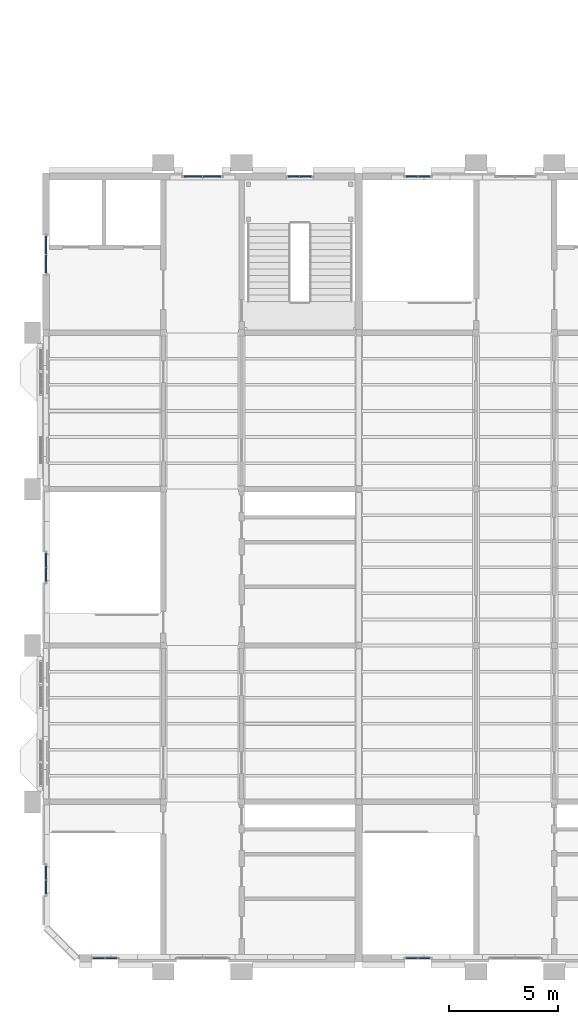
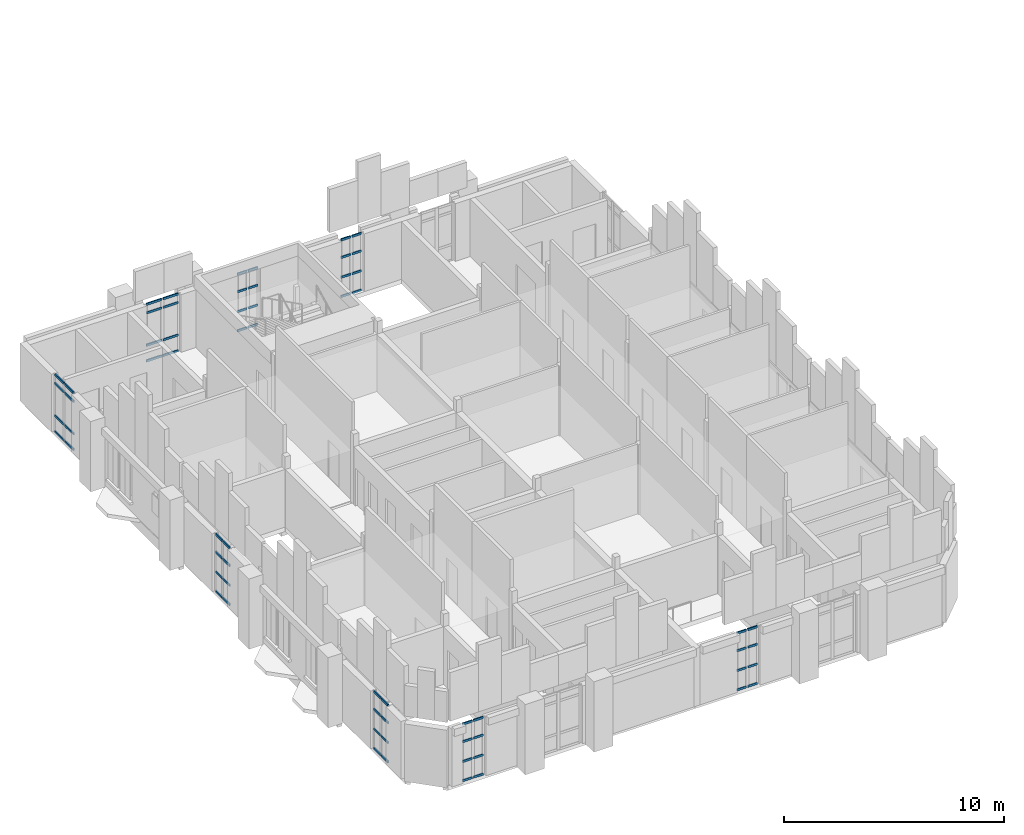
# One storey, part 17 of 51: 64 members, 8 elements without a shape of their own.
"""IFC4 building model written with IfcOpenShell, lengths in metres."""

from ifc_helpers import new_model, si_unit, direction, frame, origin, origin_2d, place, context, subcontext, project, spatial, rectangle, extrude, material, layer, layer_set, material_profile, profile_set, type_object, element, aggregate, save


model = new_model("IFC4")

# Units and contexts
model_context = context("Model", 3, precision=1e-05, world=origin(), true_north=direction((0.0, 1.0)))
body_context = subcontext(model_context, "Body", "Model", "MODEL_VIEW")
ifc_project = project(units=[si_unit("LENGTHUNIT", "METRE"), si_unit("AREAUNIT", "SQUARE_METRE"), si_unit("VOLUMEUNIT", "CUBIC_METRE"), si_unit("PLANEANGLEUNIT", "RADIAN"), si_unit("MASSUNIT", "GRAM", prefix="KILO")], contexts=[model_context])

# Site, building, storey
site_placement = place(None, origin())
site = spatial("IfcSite", under=ifc_project, at=site_placement, CompositionType="ELEMENT")
building_placement = place(site_placement, origin())
building = spatial("IfcBuilding", under=site, at=building_placement, Name="Mazhai Court Health Centre", CompositionType="ELEMENT")
storey_placement = place(building_placement, frame((0.0, 0.0, 14.10009765625)))
storey = spatial("IfcBuildingStorey", under=building, at=storey_placement, Name="L03", CompositionType="ELEMENT", Elevation=14.10009765625)

# Curtain wall, members
ifc_material_1 = material(Name="Teak timber frame, glazed", Category="wood")
ifc_layer_1 = layer(ifc_material_1, 0.10009765625)
ifc_layer_set_1 = layer_set([ifc_layer_1], Name="CURTAIN WALL TIMBER 600")
curtain_wall_type_1 = type_object("IfcCurtainWallType", Name="CURTAIN WALL TIMBER 600", PredefinedType="NOTDEFINED", material=ifc_layer_set_1)
curtain_wall_1_placement = place(storey_placement, origin())
curtain_wall_1 = element("IfcCurtainWall", 1, at=curtain_wall_1_placement, inside=storey, type_object=curtain_wall_type_1, Name="CW-V2-L03-A0", PredefinedType="NOTDEFINED")
ifc_material_2 = material(Name="Teak timber", Category="wood")
ifc_material_profile = material_profile(ifc_material_2, rectangle(XDim=0.06005859375, YDim=0.1201171875, at=origin_2d()), Name="CW TRANSOM 60x120")
ifc_profile_set = profile_set([ifc_material_profile], Name="Teak timber")
member_type = type_object("IfcMemberType", Name="CW TRANSOM 60x120", PredefinedType="USERDEFINED", material=ifc_profile_set)
member_1_placement = place(storey_placement, frame((6.199951171875, 9.159912109375, 0.02978515625), z_axis=(0.0, 1.0, 0.0), x_axis=(-1.0, 0.0, 0.0)))
member_1 = element("IfcMember", 2, at=member_1_placement, type_object=member_type, Name="CW transom 1.1", ObjectType="TRANSOM", PredefinedType="USERDEFINED", context=body_context, shape_type="SweptSolid", body=[
    extrude(rectangle(XDim=0.06005859375, YDim=0.1201171875, at=origin_2d()), origin(), (0.0, 0.0, 1.0), 0.610107421875),
])
member_2_placement = place(storey_placement, frame((6.199951171875, 9.159912109375, 1.099853515625), z_axis=(0.0, 1.0, 0.0), x_axis=(-1.0, 0.0, 0.0)))
member_2 = element("IfcMember", 3, at=member_2_placement, type_object=member_type, Name="CW transom 1.2", ObjectType="TRANSOM", PredefinedType="USERDEFINED", context=body_context, shape_type="SweptSolid", body=[
    extrude(rectangle(XDim=0.06005859375, YDim=0.1201171875, at=origin_2d()), origin(), (0.0, 0.0, 1.0), 0.610107421875),
])
member_3_placement = place(storey_placement, frame((6.199951171875, 9.159912109375, 2.199951171875), z_axis=(0.0, 1.0, 0.0), x_axis=(-1.0, 0.0, 0.0)))
member_3 = element("IfcMember", 4, at=member_3_placement, type_object=member_type, Name="CW transom 1.3", ObjectType="TRANSOM", PredefinedType="USERDEFINED", context=body_context, shape_type="SweptSolid", body=[
    extrude(rectangle(XDim=0.06005859375, YDim=0.1201171875, at=origin_2d()), origin(), (0.0, 0.0, 1.0), 0.610107421875),
])
member_4_placement = place(storey_placement, frame((6.199951171875, 9.159912109375, 3.169921875), z_axis=(0.0, 1.0, 0.0), x_axis=(-1.0, 0.0, 0.0)))
member_4 = element("IfcMember", 5, at=member_4_placement, type_object=member_type, Name="CW transom 1.4", ObjectType="TRANSOM", PredefinedType="USERDEFINED", context=body_context, shape_type="SweptSolid", body=[
    extrude(rectangle(XDim=0.06005859375, YDim=0.1201171875, at=origin_2d()), origin(), (0.0, 0.0, 1.0), 0.610107421875),
])
member_5_placement = place(storey_placement, frame((6.199951171875, 9.830078125, 0.02978515625), z_axis=(0.0, 1.0, 0.0), x_axis=(-1.0, 0.0, 0.0)))
member_5 = element("IfcMember", 6, at=member_5_placement, type_object=member_type, Name="CW transom 2.1", ObjectType="TRANSOM", PredefinedType="USERDEFINED", context=body_context, shape_type="SweptSolid", body=[
    extrude(rectangle(XDim=0.06005859375, YDim=0.1201171875, at=origin_2d()), origin(), (0.0, 0.0, 1.0), 0.60986328125),
])
member_6_placement = place(storey_placement, frame((6.199951171875, 9.830078125, 1.099853515625), z_axis=(0.0, 1.0, 0.0), x_axis=(-1.0, 0.0, 0.0)))
member_6 = element("IfcMember", 7, at=member_6_placement, type_object=member_type, Name="CW transom 2.2", ObjectType="TRANSOM", PredefinedType="USERDEFINED", context=body_context, shape_type="SweptSolid", body=[
    extrude(rectangle(XDim=0.06005859375, YDim=0.1201171875, at=origin_2d()), origin(), (0.0, 0.0, 1.0), 0.60986328125),
])
member_7_placement = place(storey_placement, frame((6.199951171875, 9.830078125, 2.199951171875), z_axis=(0.0, 1.0, 0.0), x_axis=(-1.0, 0.0, 0.0)))
member_7 = element("IfcMember", 8, at=member_7_placement, type_object=member_type, Name="CW transom 2.3", ObjectType="TRANSOM", PredefinedType="USERDEFINED", context=body_context, shape_type="SweptSolid", body=[
    extrude(rectangle(XDim=0.06005859375, YDim=0.1201171875, at=origin_2d()), origin(), (0.0, 0.0, 1.0), 0.60986328125),
])
member_8_placement = place(storey_placement, frame((6.199951171875, 9.830078125, 3.169921875), z_axis=(0.0, 1.0, 0.0), x_axis=(-1.0, 0.0, 0.0)))
member_8 = element("IfcMember", 9, at=member_8_placement, type_object=member_type, Name="CW transom 2.4", ObjectType="TRANSOM", PredefinedType="USERDEFINED", context=body_context, shape_type="SweptSolid", body=[
    extrude(rectangle(XDim=0.06005859375, YDim=0.1201171875, at=origin_2d()), origin(), (0.0, 0.0, 1.0), 0.60986328125),
])
aggregate(curtain_wall_1, [member_1, member_2, member_3, member_4, member_5, member_6, member_7, member_8])

curtain_wall_2_placement = place(storey_placement, origin())
curtain_wall_2 = element("IfcCurtainWall", 10, at=curtain_wall_2_placement, inside=storey, type_object=curtain_wall_type_1, Name="CW-V2-L03-A2", PredefinedType="NOTDEFINED")
member_9_placement = place(storey_placement, frame((6.199951171875, 23.56005859375, 0.02978515625), z_axis=(0.0, 1.0, 0.0), x_axis=(-1.0, 0.0, 0.0)))
member_9 = element("IfcMember", 11, at=member_9_placement, type_object=member_type, Name="CW transom 1.1", ObjectType="TRANSOM", PredefinedType="USERDEFINED", context=body_context, shape_type="SweptSolid", body=[
    extrude(rectangle(XDim=0.06005859375, YDim=0.1201171875, at=origin_2d()), origin(), (0.0, 0.0, 1.0), 0.60986328125),
])
member_10_placement = place(storey_placement, frame((6.199951171875, 23.56005859375, 1.099853515625), z_axis=(0.0, 1.0, 0.0), x_axis=(-1.0, 0.0, 0.0)))
member_10 = element("IfcMember", 12, at=member_10_placement, type_object=member_type, Name="CW transom 1.2", ObjectType="TRANSOM", PredefinedType="USERDEFINED", context=body_context, shape_type="SweptSolid", body=[
    extrude(rectangle(XDim=0.06005859375, YDim=0.1201171875, at=origin_2d()), origin(), (0.0, 0.0, 1.0), 0.60986328125),
])
member_11_placement = place(storey_placement, frame((6.199951171875, 23.56005859375, 2.199951171875), z_axis=(0.0, 1.0, 0.0), x_axis=(-1.0, 0.0, 0.0)))
member_11 = element("IfcMember", 13, at=member_11_placement, type_object=member_type, Name="CW transom 1.3", ObjectType="TRANSOM", PredefinedType="USERDEFINED", context=body_context, shape_type="SweptSolid", body=[
    extrude(rectangle(XDim=0.06005859375, YDim=0.1201171875, at=origin_2d()), origin(), (0.0, 0.0, 1.0), 0.60986328125),
])
member_12_placement = place(storey_placement, frame((6.199951171875, 23.56005859375, 3.169921875), z_axis=(0.0, 1.0, 0.0), x_axis=(-1.0, 0.0, 0.0)))
member_12 = element("IfcMember", 14, at=member_12_placement, type_object=member_type, Name="CW transom 1.4", ObjectType="TRANSOM", PredefinedType="USERDEFINED", context=body_context, shape_type="SweptSolid", body=[
    extrude(rectangle(XDim=0.06005859375, YDim=0.1201171875, at=origin_2d()), origin(), (0.0, 0.0, 1.0), 0.60986328125),
])
member_13_placement = place(storey_placement, frame((6.199951171875, 24.22998046875, 0.02978515625), z_axis=(0.0, 1.0, 0.0), x_axis=(-1.0, 0.0, 0.0)))
member_13 = element("IfcMember", 15, at=member_13_placement, type_object=member_type, Name="CW transom 2.1", ObjectType="TRANSOM", PredefinedType="USERDEFINED", context=body_context, shape_type="SweptSolid", body=[
    extrude(rectangle(XDim=0.06005859375, YDim=0.1201171875, at=origin_2d()), origin(), (0.0, 0.0, 1.0), 0.610107421875),
])
member_14_placement = place(storey_placement, frame((6.199951171875, 24.22998046875, 1.099853515625), z_axis=(0.0, 1.0, 0.0), x_axis=(-1.0, 0.0, 0.0)))
member_14 = element("IfcMember", 16, at=member_14_placement, type_object=member_type, Name="CW transom 2.2", ObjectType="TRANSOM", PredefinedType="USERDEFINED", context=body_context, shape_type="SweptSolid", body=[
    extrude(rectangle(XDim=0.06005859375, YDim=0.1201171875, at=origin_2d()), origin(), (0.0, 0.0, 1.0), 0.610107421875),
])
member_15_placement = place(storey_placement, frame((6.199951171875, 24.22998046875, 2.199951171875), z_axis=(0.0, 1.0, 0.0), x_axis=(-1.0, 0.0, 0.0)))
member_15 = element("IfcMember", 17, at=member_15_placement, type_object=member_type, Name="CW transom 2.3", ObjectType="TRANSOM", PredefinedType="USERDEFINED", context=body_context, shape_type="SweptSolid", body=[
    extrude(rectangle(XDim=0.06005859375, YDim=0.1201171875, at=origin_2d()), origin(), (0.0, 0.0, 1.0), 0.610107421875),
])
member_16_placement = place(storey_placement, frame((6.199951171875, 24.22998046875, 3.169921875), z_axis=(0.0, 1.0, 0.0), x_axis=(-1.0, 0.0, 0.0)))
member_16 = element("IfcMember", 18, at=member_16_placement, type_object=member_type, Name="CW transom 2.4", ObjectType="TRANSOM", PredefinedType="USERDEFINED", context=body_context, shape_type="SweptSolid", body=[
    extrude(rectangle(XDim=0.06005859375, YDim=0.1201171875, at=origin_2d()), origin(), (0.0, 0.0, 1.0), 0.610107421875),
])
aggregate(curtain_wall_2, [member_9, member_10, member_11, member_12, member_13, member_14, member_15, member_16])

ifc_material_3 = material(Name="Teak timber frame, glazed", Category="wood")
ifc_layer_2 = layer(ifc_material_3, 0.10009765625)
ifc_layer_set_2 = layer_set([ifc_layer_2], Name="CURTAIN WALL TIMBER 900")
curtain_wall_type_2 = type_object("IfcCurtainWallType", Name="CURTAIN WALL TIMBER 900", PredefinedType="NOTDEFINED", material=ifc_layer_set_2)
curtain_wall_3_placement = place(storey_placement, origin())
curtain_wall_3 = element("IfcCurtainWall", 19, at=curtain_wall_3_placement, inside=storey, type_object=curtain_wall_type_2, Name="CW-V2-L03-A4", PredefinedType="NOTDEFINED")
member_17_placement = place(storey_placement, frame((6.199951171875, 37.760009765625, 0.02978515625), z_axis=(0.0, 1.0, 0.0), x_axis=(-1.0, 0.0, 0.0)))
member_17 = element("IfcMember", 20, at=member_17_placement, type_object=member_type, Name="CW transom 1.1", ObjectType="TRANSOM", PredefinedType="USERDEFINED", context=body_context, shape_type="SweptSolid", body=[
    extrude(rectangle(XDim=0.06005859375, YDim=0.1201171875, at=origin_2d()), origin(), (0.0, 0.0, 1.0), 0.81005859375),
])
member_18_placement = place(storey_placement, frame((6.199951171875, 37.760009765625, 0.89990234375), z_axis=(0.0, 1.0, 0.0), x_axis=(-1.0, 0.0, 0.0)))
member_18 = element("IfcMember", 21, at=member_18_placement, type_object=member_type, Name="CW transom 1.2", ObjectType="TRANSOM", PredefinedType="USERDEFINED", context=body_context, shape_type="SweptSolid", body=[
    extrude(rectangle(XDim=0.06005859375, YDim=0.1201171875, at=origin_2d()), origin(), (0.0, 0.0, 1.0), 0.81005859375),
])
member_19_placement = place(storey_placement, frame((6.199951171875, 37.760009765625, 2.699951171875), z_axis=(0.0, 1.0, 0.0), x_axis=(-1.0, 0.0, 0.0)))
member_19 = element("IfcMember", 22, at=member_19_placement, type_object=member_type, Name="CW transom 1.3", ObjectType="TRANSOM", PredefinedType="USERDEFINED", context=body_context, shape_type="SweptSolid", body=[
    extrude(rectangle(XDim=0.06005859375, YDim=0.1201171875, at=origin_2d()), origin(), (0.0, 0.0, 1.0), 0.81005859375),
])
member_20_placement = place(storey_placement, frame((6.199951171875, 37.760009765625, 3.169921875), z_axis=(0.0, 1.0, 0.0), x_axis=(-1.0, 0.0, 0.0)))
member_20 = element("IfcMember", 23, at=member_20_placement, type_object=member_type, Name="CW transom 1.4", ObjectType="TRANSOM", PredefinedType="USERDEFINED", context=body_context, shape_type="SweptSolid", body=[
    extrude(rectangle(XDim=0.06005859375, YDim=0.1201171875, at=origin_2d()), origin(), (0.0, 0.0, 1.0), 0.81005859375),
])
member_21_placement = place(storey_placement, frame((6.199951171875, 38.6298828125, 0.02978515625), z_axis=(0.0, 1.0, 0.0), x_axis=(-1.0, 0.0, 0.0)))
member_21 = element("IfcMember", 24, at=member_21_placement, type_object=member_type, Name="CW transom 2.1", ObjectType="TRANSOM", PredefinedType="USERDEFINED", context=body_context, shape_type="SweptSolid", body=[
    extrude(rectangle(XDim=0.06005859375, YDim=0.1201171875, at=origin_2d()), origin(), (0.0, 0.0, 1.0), 0.81005859375),
])
member_22_placement = place(storey_placement, frame((6.199951171875, 38.6298828125, 0.89990234375), z_axis=(0.0, 1.0, 0.0), x_axis=(-1.0, 0.0, 0.0)))
member_22 = element("IfcMember", 25, at=member_22_placement, type_object=member_type, Name="CW transom 2.2", ObjectType="TRANSOM", PredefinedType="USERDEFINED", context=body_context, shape_type="SweptSolid", body=[
    extrude(rectangle(XDim=0.06005859375, YDim=0.1201171875, at=origin_2d()), origin(), (0.0, 0.0, 1.0), 0.81005859375),
])
member_23_placement = place(storey_placement, frame((6.199951171875, 38.6298828125, 2.699951171875), z_axis=(0.0, 1.0, 0.0), x_axis=(-1.0, 0.0, 0.0)))
member_23 = element("IfcMember", 26, at=member_23_placement, type_object=member_type, Name="CW transom 2.3", ObjectType="TRANSOM", PredefinedType="USERDEFINED", context=body_context, shape_type="SweptSolid", body=[
    extrude(rectangle(XDim=0.06005859375, YDim=0.1201171875, at=origin_2d()), origin(), (0.0, 0.0, 1.0), 0.81005859375),
])
member_24_placement = place(storey_placement, frame((6.199951171875, 38.6298828125, 3.169921875), z_axis=(0.0, 1.0, 0.0), x_axis=(-1.0, 0.0, 0.0)))
member_24 = element("IfcMember", 27, at=member_24_placement, type_object=member_type, Name="CW transom 2.4", ObjectType="TRANSOM", PredefinedType="USERDEFINED", context=body_context, shape_type="SweptSolid", body=[
    extrude(rectangle(XDim=0.06005859375, YDim=0.1201171875, at=origin_2d()), origin(), (0.0, 0.0, 1.0), 0.81005859375),
])
aggregate(curtain_wall_3, [member_17, member_18, member_19, member_20, member_21, member_22, member_23, member_24])

curtain_wall_4_placement = place(storey_placement, origin())
curtain_wall_4 = element("IfcCurtainWall", 28, at=curtain_wall_4_placement, inside=storey, type_object=curtain_wall_type_1, Name="CW-V2-L03-SSTAIR0", PredefinedType="NOTDEFINED")
member_25_placement = place(storey_placement, frame((9.4599609375, 6.199951171875, 0.02978515625), z_axis=(-1.0, 0.0, 0.0), x_axis=(0.0, -1.0, 0.0)))
member_25 = element("IfcMember", 29, at=member_25_placement, type_object=member_type, Name="CW transom 1.1", ObjectType="TRANSOM", PredefinedType="USERDEFINED", context=body_context, shape_type="SweptSolid", body=[
    extrude(rectangle(XDim=0.06005859375, YDim=0.1201171875, at=origin_2d()), origin(), (0.0, 0.0, 1.0), 0.510009765625),
])
member_26_placement = place(storey_placement, frame((9.4599609375, 6.199951171875, 1.099853515625), z_axis=(-1.0, 0.0, 0.0), x_axis=(0.0, -1.0, 0.0)))
member_26 = element("IfcMember", 30, at=member_26_placement, type_object=member_type, Name="CW transom 1.2", ObjectType="TRANSOM", PredefinedType="USERDEFINED", context=body_context, shape_type="SweptSolid", body=[
    extrude(rectangle(XDim=0.06005859375, YDim=0.1201171875, at=origin_2d()), origin(), (0.0, 0.0, 1.0), 0.510009765625),
])
member_27_placement = place(storey_placement, frame((9.4599609375, 6.199951171875, 2.199951171875), z_axis=(-1.0, 0.0, 0.0), x_axis=(0.0, -1.0, 0.0)))
member_27 = element("IfcMember", 31, at=member_27_placement, type_object=member_type, Name="CW transom 1.3", ObjectType="TRANSOM", PredefinedType="USERDEFINED", context=body_context, shape_type="SweptSolid", body=[
    extrude(rectangle(XDim=0.06005859375, YDim=0.1201171875, at=origin_2d()), origin(), (0.0, 0.0, 1.0), 0.510009765625),
])
member_28_placement = place(storey_placement, frame((9.4599609375, 6.199951171875, 3.169921875), z_axis=(-1.0, 0.0, 0.0), x_axis=(0.0, -1.0, 0.0)))
member_28 = element("IfcMember", 32, at=member_28_placement, type_object=member_type, Name="CW transom 1.4", ObjectType="TRANSOM", PredefinedType="USERDEFINED", context=body_context, shape_type="SweptSolid", body=[
    extrude(rectangle(XDim=0.06005859375, YDim=0.1201171875, at=origin_2d()), origin(), (0.0, 0.0, 1.0), 0.510009765625),
])
member_29_placement = place(storey_placement, frame((8.889892578125, 6.199951171875, 0.02978515625), z_axis=(-1.0, 0.0, 0.0), x_axis=(0.0, -1.0, 0.0)))
member_29 = element("IfcMember", 33, at=member_29_placement, type_object=member_type, Name="CW transom 2.1", ObjectType="TRANSOM", PredefinedType="USERDEFINED", context=body_context, shape_type="SweptSolid", body=[
    extrude(rectangle(XDim=0.06005859375, YDim=0.1201171875, at=origin_2d()), origin(), (0.0, 0.0, 1.0), 0.510009765625),
])
member_30_placement = place(storey_placement, frame((8.889892578125, 6.199951171875, 1.099853515625), z_axis=(-1.0, 0.0, 0.0), x_axis=(0.0, -1.0, 0.0)))
member_30 = element("IfcMember", 34, at=member_30_placement, type_object=member_type, Name="CW transom 2.2", ObjectType="TRANSOM", PredefinedType="USERDEFINED", context=body_context, shape_type="SweptSolid", body=[
    extrude(rectangle(XDim=0.06005859375, YDim=0.1201171875, at=origin_2d()), origin(), (0.0, 0.0, 1.0), 0.510009765625),
])
member_31_placement = place(storey_placement, frame((8.889892578125, 6.199951171875, 2.199951171875), z_axis=(-1.0, 0.0, 0.0), x_axis=(0.0, -1.0, 0.0)))
member_31 = element("IfcMember", 35, at=member_31_placement, type_object=member_type, Name="CW transom 2.3", ObjectType="TRANSOM", PredefinedType="USERDEFINED", context=body_context, shape_type="SweptSolid", body=[
    extrude(rectangle(XDim=0.06005859375, YDim=0.1201171875, at=origin_2d()), origin(), (0.0, 0.0, 1.0), 0.510009765625),
])
member_32_placement = place(storey_placement, frame((8.889892578125, 6.199951171875, 3.169921875), z_axis=(-1.0, 0.0, 0.0), x_axis=(0.0, -1.0, 0.0)))
member_32 = element("IfcMember", 36, at=member_32_placement, type_object=member_type, Name="CW transom 2.4", ObjectType="TRANSOM", PredefinedType="USERDEFINED", context=body_context, shape_type="SweptSolid", body=[
    extrude(rectangle(XDim=0.06005859375, YDim=0.1201171875, at=origin_2d()), origin(), (0.0, 0.0, 1.0), 0.510009765625),
])
aggregate(curtain_wall_4, [member_25, member_26, member_27, member_28, member_29, member_30, member_31, member_32])

curtain_wall_5_placement = place(storey_placement, origin())
curtain_wall_5 = element("IfcCurtainWall", 37, at=curtain_wall_5_placement, inside=storey, type_object=curtain_wall_type_2, Name="CW-V2-L03-ELIFT0", PredefinedType="NOTDEFINED")
member_33_placement = place(storey_placement, frame((12.56005859375, 42.199951171875, 0.02978515625), z_axis=(1.0, 0.0, 0.0), x_axis=(0.0, 1.0, 0.0)))
member_33 = element("IfcMember", 38, at=member_33_placement, type_object=member_type, Name="CW transom 1.1", ObjectType="TRANSOM", PredefinedType="USERDEFINED", context=body_context, shape_type="SweptSolid", body=[
    extrude(rectangle(XDim=0.06005859375, YDim=0.1201171875, at=origin_2d()), origin(), (0.0, 0.0, 1.0), 0.81005859375),
])
member_34_placement = place(storey_placement, frame((12.56005859375, 42.199951171875, 0.89990234375), z_axis=(1.0, 0.0, 0.0), x_axis=(0.0, 1.0, 0.0)))
member_34 = element("IfcMember", 39, at=member_34_placement, type_object=member_type, Name="CW transom 1.2", ObjectType="TRANSOM", PredefinedType="USERDEFINED", context=body_context, shape_type="SweptSolid", body=[
    extrude(rectangle(XDim=0.06005859375, YDim=0.1201171875, at=origin_2d()), origin(), (0.0, 0.0, 1.0), 0.81005859375),
])
member_35_placement = place(storey_placement, frame((12.56005859375, 42.199951171875, 2.699951171875), z_axis=(1.0, 0.0, 0.0), x_axis=(0.0, 1.0, 0.0)))
member_35 = element("IfcMember", 40, at=member_35_placement, type_object=member_type, Name="CW transom 1.3", ObjectType="TRANSOM", PredefinedType="USERDEFINED", context=body_context, shape_type="SweptSolid", body=[
    extrude(rectangle(XDim=0.06005859375, YDim=0.1201171875, at=origin_2d()), origin(), (0.0, 0.0, 1.0), 0.81005859375),
])
member_36_placement = place(storey_placement, frame((12.56005859375, 42.199951171875, 3.169921875), z_axis=(1.0, 0.0, 0.0), x_axis=(0.0, 1.0, 0.0)))
member_36 = element("IfcMember", 41, at=member_36_placement, type_object=member_type, Name="CW transom 1.4", ObjectType="TRANSOM", PredefinedType="USERDEFINED", context=body_context, shape_type="SweptSolid", body=[
    extrude(rectangle(XDim=0.06005859375, YDim=0.1201171875, at=origin_2d()), origin(), (0.0, 0.0, 1.0), 0.81005859375),
])
member_37_placement = place(storey_placement, frame((13.429931640625, 42.199951171875, 0.02978515625), z_axis=(1.0, 0.0, 0.0), x_axis=(0.0, 1.0, 0.0)))
member_37 = element("IfcMember", 42, at=member_37_placement, type_object=member_type, Name="CW transom 2.1", ObjectType="TRANSOM", PredefinedType="USERDEFINED", context=body_context, shape_type="SweptSolid", body=[
    extrude(rectangle(XDim=0.06005859375, YDim=0.1201171875, at=origin_2d()), origin(), (0.0, 0.0, 1.0), 0.81005859375),
])
member_38_placement = place(storey_placement, frame((13.429931640625, 42.199951171875, 0.89990234375), z_axis=(1.0, 0.0, 0.0), x_axis=(0.0, 1.0, 0.0)))
member_38 = element("IfcMember", 43, at=member_38_placement, type_object=member_type, Name="CW transom 2.2", ObjectType="TRANSOM", PredefinedType="USERDEFINED", context=body_context, shape_type="SweptSolid", body=[
    extrude(rectangle(XDim=0.06005859375, YDim=0.1201171875, at=origin_2d()), origin(), (0.0, 0.0, 1.0), 0.81005859375),
])
member_39_placement = place(storey_placement, frame((13.429931640625, 42.199951171875, 2.699951171875), z_axis=(1.0, 0.0, 0.0), x_axis=(0.0, 1.0, 0.0)))
member_39 = element("IfcMember", 44, at=member_39_placement, type_object=member_type, Name="CW transom 2.3", ObjectType="TRANSOM", PredefinedType="USERDEFINED", context=body_context, shape_type="SweptSolid", body=[
    extrude(rectangle(XDim=0.06005859375, YDim=0.1201171875, at=origin_2d()), origin(), (0.0, 0.0, 1.0), 0.81005859375),
])
member_40_placement = place(storey_placement, frame((13.429931640625, 42.199951171875, 3.169921875), z_axis=(1.0, 0.0, 0.0), x_axis=(0.0, 1.0, 0.0)))
member_40 = element("IfcMember", 45, at=member_40_placement, type_object=member_type, Name="CW transom 2.4", ObjectType="TRANSOM", PredefinedType="USERDEFINED", context=body_context, shape_type="SweptSolid", body=[
    extrude(rectangle(XDim=0.06005859375, YDim=0.1201171875, at=origin_2d()), origin(), (0.0, 0.0, 1.0), 0.81005859375),
])
aggregate(curtain_wall_5, [member_33, member_34, member_35, member_36, member_37, member_38, member_39, member_40])

curtain_wall_6_placement = place(storey_placement, origin())
curtain_wall_6 = element("IfcCurtainWall", 46, at=curtain_wall_6_placement, inside=storey, type_object=curtain_wall_type_1, Name="CW-V2-L03-ESTAIR1", PredefinedType="NOTDEFINED")
member_41_placement = place(storey_placement, frame((17.340087890625, 42.199951171875, 0.02978515625), z_axis=(1.0, 0.0, 0.0), x_axis=(0.0, 1.0, 0.0)))
member_41 = element("IfcMember", 47, at=member_41_placement, type_object=member_type, Name="CW transom 1.1", ObjectType="TRANSOM", PredefinedType="USERDEFINED", context=body_context, shape_type="SweptSolid", body=[
    extrude(rectangle(XDim=0.06005859375, YDim=0.1201171875, at=origin_2d()), origin(), (0.0, 0.0, 1.0), 0.510009765625),
])
member_42_placement = place(storey_placement, frame((17.340087890625, 42.199951171875, 1.099853515625), z_axis=(1.0, 0.0, 0.0), x_axis=(0.0, 1.0, 0.0)))
member_42 = element("IfcMember", 48, at=member_42_placement, type_object=member_type, Name="CW transom 1.2", ObjectType="TRANSOM", PredefinedType="USERDEFINED", context=body_context, shape_type="SweptSolid", body=[
    extrude(rectangle(XDim=0.06005859375, YDim=0.1201171875, at=origin_2d()), origin(), (0.0, 0.0, 1.0), 0.510009765625),
])
member_43_placement = place(storey_placement, frame((17.340087890625, 42.199951171875, 2.199951171875), z_axis=(1.0, 0.0, 0.0), x_axis=(0.0, 1.0, 0.0)))
member_43 = element("IfcMember", 49, at=member_43_placement, type_object=member_type, Name="CW transom 1.3", ObjectType="TRANSOM", PredefinedType="USERDEFINED", context=body_context, shape_type="SweptSolid", body=[
    extrude(rectangle(XDim=0.06005859375, YDim=0.1201171875, at=origin_2d()), origin(), (0.0, 0.0, 1.0), 0.510009765625),
])
member_44_placement = place(storey_placement, frame((17.340087890625, 42.199951171875, 3.169921875), z_axis=(1.0, 0.0, 0.0), x_axis=(0.0, 1.0, 0.0)))
member_44 = element("IfcMember", 50, at=member_44_placement, type_object=member_type, Name="CW transom 1.4", ObjectType="TRANSOM", PredefinedType="USERDEFINED", context=body_context, shape_type="SweptSolid", body=[
    extrude(rectangle(XDim=0.06005859375, YDim=0.1201171875, at=origin_2d()), origin(), (0.0, 0.0, 1.0), 0.510009765625),
])
member_45_placement = place(storey_placement, frame((17.909912109375, 42.199951171875, 0.02978515625), z_axis=(1.0, 0.0, 0.0), x_axis=(0.0, 1.0, 0.0)))
member_45 = element("IfcMember", 51, at=member_45_placement, type_object=member_type, Name="CW transom 2.1", ObjectType="TRANSOM", PredefinedType="USERDEFINED", context=body_context, shape_type="SweptSolid", body=[
    extrude(rectangle(XDim=0.06005859375, YDim=0.1201171875, at=origin_2d()), origin(), (0.0, 0.0, 1.0), 0.510009765625),
])
member_46_placement = place(storey_placement, frame((17.909912109375, 42.199951171875, 1.099853515625), z_axis=(1.0, 0.0, 0.0), x_axis=(0.0, 1.0, 0.0)))
member_46 = element("IfcMember", 52, at=member_46_placement, type_object=member_type, Name="CW transom 2.2", ObjectType="TRANSOM", PredefinedType="USERDEFINED", context=body_context, shape_type="SweptSolid", body=[
    extrude(rectangle(XDim=0.06005859375, YDim=0.1201171875, at=origin_2d()), origin(), (0.0, 0.0, 1.0), 0.510009765625),
])
member_47_placement = place(storey_placement, frame((17.909912109375, 42.199951171875, 2.199951171875), z_axis=(1.0, 0.0, 0.0), x_axis=(0.0, 1.0, 0.0)))
member_47 = element("IfcMember", 53, at=member_47_placement, type_object=member_type, Name="CW transom 2.3", ObjectType="TRANSOM", PredefinedType="USERDEFINED", context=body_context, shape_type="SweptSolid", body=[
    extrude(rectangle(XDim=0.06005859375, YDim=0.1201171875, at=origin_2d()), origin(), (0.0, 0.0, 1.0), 0.510009765625),
])
member_48_placement = place(storey_placement, frame((17.909912109375, 42.199951171875, 3.169921875), z_axis=(1.0, 0.0, 0.0), x_axis=(0.0, 1.0, 0.0)))
member_48 = element("IfcMember", 54, at=member_48_placement, type_object=member_type, Name="CW transom 2.4", ObjectType="TRANSOM", PredefinedType="USERDEFINED", context=body_context, shape_type="SweptSolid", body=[
    extrude(rectangle(XDim=0.06005859375, YDim=0.1201171875, at=origin_2d()), origin(), (0.0, 0.0, 1.0), 0.510009765625),
])
aggregate(curtain_wall_6, [member_41, member_42, member_43, member_44, member_45, member_46, member_47, member_48])

curtain_wall_7_placement = place(storey_placement, origin())
curtain_wall_7 = element("IfcCurtainWall", 55, at=curtain_wall_7_placement, inside=storey, type_object=curtain_wall_type_1, Name="CW-V5-L03-SSTAIR0", PredefinedType="NOTDEFINED")
member_49_placement = place(storey_placement, frame((23.860107421875, 6.199951171875, 0.02978515625), z_axis=(-1.0, 0.0, 0.0), x_axis=(0.0, -1.0, 0.0)))
member_49 = element("IfcMember", 56, at=member_49_placement, type_object=member_type, Name="CW transom 1.1", ObjectType="TRANSOM", PredefinedType="USERDEFINED", context=body_context, shape_type="SweptSolid", body=[
    extrude(rectangle(XDim=0.06005859375, YDim=0.1201171875, at=origin_2d()), origin(), (0.0, 0.0, 1.0), 0.510009765625),
])
member_50_placement = place(storey_placement, frame((23.860107421875, 6.199951171875, 1.099853515625), z_axis=(-1.0, 0.0, 0.0), x_axis=(0.0, -1.0, 0.0)))
member_50 = element("IfcMember", 57, at=member_50_placement, type_object=member_type, Name="CW transom 1.2", ObjectType="TRANSOM", PredefinedType="USERDEFINED", context=body_context, shape_type="SweptSolid", body=[
    extrude(rectangle(XDim=0.06005859375, YDim=0.1201171875, at=origin_2d()), origin(), (0.0, 0.0, 1.0), 0.510009765625),
])
member_51_placement = place(storey_placement, frame((23.860107421875, 6.199951171875, 2.199951171875), z_axis=(-1.0, 0.0, 0.0), x_axis=(0.0, -1.0, 0.0)))
member_51 = element("IfcMember", 58, at=member_51_placement, type_object=member_type, Name="CW transom 1.3", ObjectType="TRANSOM", PredefinedType="USERDEFINED", context=body_context, shape_type="SweptSolid", body=[
    extrude(rectangle(XDim=0.06005859375, YDim=0.1201171875, at=origin_2d()), origin(), (0.0, 0.0, 1.0), 0.510009765625),
])
member_52_placement = place(storey_placement, frame((23.860107421875, 6.199951171875, 3.169921875), z_axis=(-1.0, 0.0, 0.0), x_axis=(0.0, -1.0, 0.0)))
member_52 = element("IfcMember", 59, at=member_52_placement, type_object=member_type, Name="CW transom 1.4", ObjectType="TRANSOM", PredefinedType="USERDEFINED", context=body_context, shape_type="SweptSolid", body=[
    extrude(rectangle(XDim=0.06005859375, YDim=0.1201171875, at=origin_2d()), origin(), (0.0, 0.0, 1.0), 0.510009765625),
])
member_53_placement = place(storey_placement, frame((23.2900390625, 6.199951171875, 0.02978515625), z_axis=(-1.0, 0.0, 0.0), x_axis=(0.0, -1.0, 0.0)))
member_53 = element("IfcMember", 60, at=member_53_placement, type_object=member_type, Name="CW transom 2.1", ObjectType="TRANSOM", PredefinedType="USERDEFINED", context=body_context, shape_type="SweptSolid", body=[
    extrude(rectangle(XDim=0.06005859375, YDim=0.1201171875, at=origin_2d()), origin(), (0.0, 0.0, 1.0), 0.510009765625),
])
member_54_placement = place(storey_placement, frame((23.2900390625, 6.199951171875, 1.099853515625), z_axis=(-1.0, 0.0, 0.0), x_axis=(0.0, -1.0, 0.0)))
member_54 = element("IfcMember", 61, at=member_54_placement, type_object=member_type, Name="CW transom 2.2", ObjectType="TRANSOM", PredefinedType="USERDEFINED", context=body_context, shape_type="SweptSolid", body=[
    extrude(rectangle(XDim=0.06005859375, YDim=0.1201171875, at=origin_2d()), origin(), (0.0, 0.0, 1.0), 0.510009765625),
])
member_55_placement = place(storey_placement, frame((23.2900390625, 6.199951171875, 2.199951171875), z_axis=(-1.0, 0.0, 0.0), x_axis=(0.0, -1.0, 0.0)))
member_55 = element("IfcMember", 62, at=member_55_placement, type_object=member_type, Name="CW transom 2.3", ObjectType="TRANSOM", PredefinedType="USERDEFINED", context=body_context, shape_type="SweptSolid", body=[
    extrude(rectangle(XDim=0.06005859375, YDim=0.1201171875, at=origin_2d()), origin(), (0.0, 0.0, 1.0), 0.510009765625),
])
member_56_placement = place(storey_placement, frame((23.2900390625, 6.199951171875, 3.169921875), z_axis=(-1.0, 0.0, 0.0), x_axis=(0.0, -1.0, 0.0)))
member_56 = element("IfcMember", 63, at=member_56_placement, type_object=member_type, Name="CW transom 2.4", ObjectType="TRANSOM", PredefinedType="USERDEFINED", context=body_context, shape_type="SweptSolid", body=[
    extrude(rectangle(XDim=0.06005859375, YDim=0.1201171875, at=origin_2d()), origin(), (0.0, 0.0, 1.0), 0.510009765625),
])
aggregate(curtain_wall_7, [member_49, member_50, member_51, member_52, member_53, member_54, member_55, member_56])

curtain_wall_8_placement = place(storey_placement, origin())
curtain_wall_8 = element("IfcCurtainWall", 64, at=curtain_wall_8_placement, inside=storey, type_object=curtain_wall_type_1, Name="CW-V5-L03-ESTAIR0", PredefinedType="NOTDEFINED")
member_57_placement = place(storey_placement, frame((22.780029296875, 42.199951171875, 0.02978515625), z_axis=(1.0, 0.0, 0.0), x_axis=(0.0, 1.0, 0.0)))
member_57 = element("IfcMember", 65, at=member_57_placement, type_object=member_type, Name="CW transom 1.1", ObjectType="TRANSOM", PredefinedType="USERDEFINED", context=body_context, shape_type="SweptSolid", body=[
    extrude(rectangle(XDim=0.06005859375, YDim=0.1201171875, at=origin_2d()), origin(), (0.0, 0.0, 1.0), 0.510009765625),
])
member_58_placement = place(storey_placement, frame((22.780029296875, 42.199951171875, 1.099853515625), z_axis=(1.0, 0.0, 0.0), x_axis=(0.0, 1.0, 0.0)))
member_58 = element("IfcMember", 66, at=member_58_placement, type_object=member_type, Name="CW transom 1.2", ObjectType="TRANSOM", PredefinedType="USERDEFINED", context=body_context, shape_type="SweptSolid", body=[
    extrude(rectangle(XDim=0.06005859375, YDim=0.1201171875, at=origin_2d()), origin(), (0.0, 0.0, 1.0), 0.510009765625),
])
member_59_placement = place(storey_placement, frame((22.780029296875, 42.199951171875, 2.199951171875), z_axis=(1.0, 0.0, 0.0), x_axis=(0.0, 1.0, 0.0)))
member_59 = element("IfcMember", 67, at=member_59_placement, type_object=member_type, Name="CW transom 1.3", ObjectType="TRANSOM", PredefinedType="USERDEFINED", context=body_context, shape_type="SweptSolid", body=[
    extrude(rectangle(XDim=0.06005859375, YDim=0.1201171875, at=origin_2d()), origin(), (0.0, 0.0, 1.0), 0.510009765625),
])
member_60_placement = place(storey_placement, frame((22.780029296875, 42.199951171875, 3.169921875), z_axis=(1.0, 0.0, 0.0), x_axis=(0.0, 1.0, 0.0)))
member_60 = element("IfcMember", 68, at=member_60_placement, type_object=member_type, Name="CW transom 1.4", ObjectType="TRANSOM", PredefinedType="USERDEFINED", context=body_context, shape_type="SweptSolid", body=[
    extrude(rectangle(XDim=0.06005859375, YDim=0.1201171875, at=origin_2d()), origin(), (0.0, 0.0, 1.0), 0.510009765625),
])
member_61_placement = place(storey_placement, frame((23.35009765625, 42.199951171875, 0.02978515625), z_axis=(1.0, 0.0, 0.0), x_axis=(0.0, 1.0, 0.0)))
member_61 = element("IfcMember", 69, at=member_61_placement, type_object=member_type, Name="CW transom 2.1", ObjectType="TRANSOM", PredefinedType="USERDEFINED", context=body_context, shape_type="SweptSolid", body=[
    extrude(rectangle(XDim=0.06005859375, YDim=0.1201171875, at=origin_2d()), origin(), (0.0, 0.0, 1.0), 0.510009765625),
])
member_62_placement = place(storey_placement, frame((23.35009765625, 42.199951171875, 1.099853515625), z_axis=(1.0, 0.0, 0.0), x_axis=(0.0, 1.0, 0.0)))
member_62 = element("IfcMember", 70, at=member_62_placement, type_object=member_type, Name="CW transom 2.2", ObjectType="TRANSOM", PredefinedType="USERDEFINED", context=body_context, shape_type="SweptSolid", body=[
    extrude(rectangle(XDim=0.06005859375, YDim=0.1201171875, at=origin_2d()), origin(), (0.0, 0.0, 1.0), 0.510009765625),
])
member_63_placement = place(storey_placement, frame((23.35009765625, 42.199951171875, 2.199951171875), z_axis=(1.0, 0.0, 0.0), x_axis=(0.0, 1.0, 0.0)))
member_63 = element("IfcMember", 71, at=member_63_placement, type_object=member_type, Name="CW transom 2.3", ObjectType="TRANSOM", PredefinedType="USERDEFINED", context=body_context, shape_type="SweptSolid", body=[
    extrude(rectangle(XDim=0.06005859375, YDim=0.1201171875, at=origin_2d()), origin(), (0.0, 0.0, 1.0), 0.510009765625),
])
member_64_placement = place(storey_placement, frame((23.35009765625, 42.199951171875, 3.169921875), z_axis=(1.0, 0.0, 0.0), x_axis=(0.0, 1.0, 0.0)))
member_64 = element("IfcMember", 72, at=member_64_placement, type_object=member_type, Name="CW transom 2.4", ObjectType="TRANSOM", PredefinedType="USERDEFINED", context=body_context, shape_type="SweptSolid", body=[
    extrude(rectangle(XDim=0.06005859375, YDim=0.1201171875, at=origin_2d()), origin(), (0.0, 0.0, 1.0), 0.510009765625),
])
aggregate(curtain_wall_8, [member_57, member_58, member_59, member_60, member_61, member_62, member_63, member_64])

save(model, "model.ifc")
